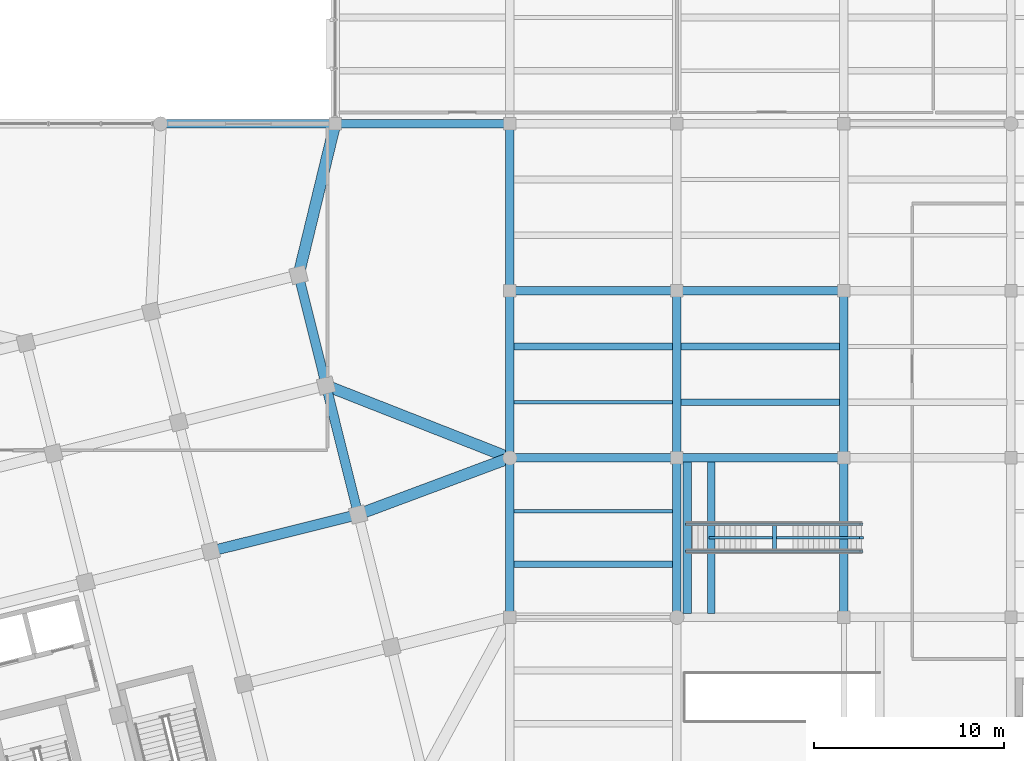
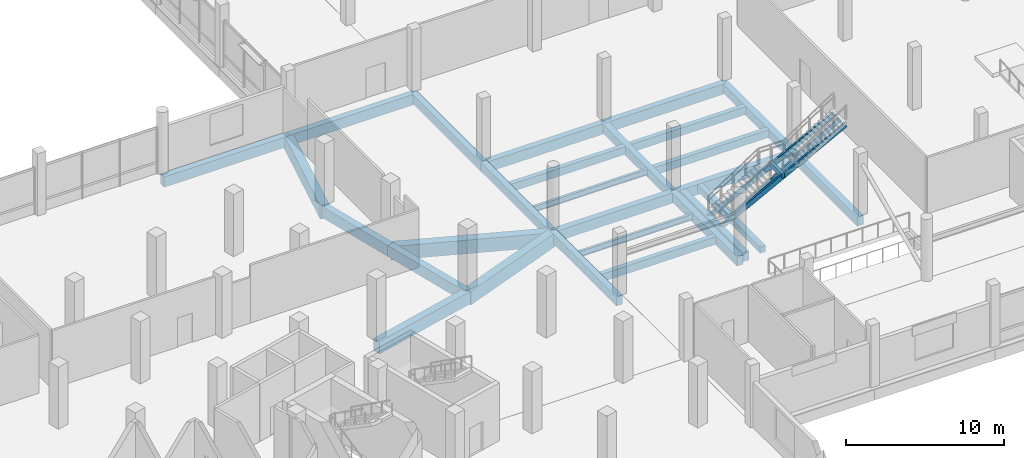
# One storey, part 35 of 71: 28 beams, 3 members.
"""IFC4 building model written with IfcOpenShell, lengths in metres."""

from ifc_helpers import new_model, si_unit, direction, frame, origin, origin_2d, place, context, subcontext, project, spatial, rectangle, i_section, extrude, material, material_profile, profile_set, type_object, element, save


model = new_model("IFC4")

# Units and contexts
model_context = context("Model", 3, precision=1e-05, world=origin(), true_north=direction((0.0, 1.0)))
body_context = subcontext(model_context, "Body", "Model", "MODEL_VIEW")
ifc_project = project(units=[si_unit("LENGTHUNIT", "METRE"), si_unit("AREAUNIT", "SQUARE_METRE"), si_unit("VOLUMEUNIT", "CUBIC_METRE"), si_unit("PLANEANGLEUNIT", "RADIAN"), si_unit("MASSUNIT", "GRAM", prefix="KILO")], contexts=[model_context])

# Site, building, storey
site_placement = place(None, origin())
site = spatial("IfcSite", under=ifc_project, at=site_placement, CompositionType="ELEMENT")
building_placement = place(site_placement, origin())
building = spatial("IfcBuilding", under=site, at=building_placement, Name="Meriwether Solvik Hall", CompositionType="ELEMENT")
storey_placement = place(building_placement, frame((0.0, 0.0, 5.10009765625)))
storey = spatial("IfcBuildingStorey", under=building, at=storey_placement, Name="L01", CompositionType="ELEMENT", Elevation=5.10009765625)

# Beams
ifc_material_1 = material(Name="Glulam Douglas-Fir 24F-V8 GL28h", Category="wood")
ifc_material_profile_1 = material_profile(ifc_material_1, rectangle(XDim=0.221923828125, YDim=0.340087890625, at=origin_2d()), Name="GLB-222X340")
ifc_profile_set_1 = profile_set([ifc_material_profile_1], Name="Glulam Douglas-Fir 24F-V8 GL28h")
beam_type_1 = type_object("IfcBeamType", Name="BM-LND-GL-222X340", PredefinedType="BEAM", material=ifc_profile_set_1)
beam_1_placement = place(storey_placement, frame((128.139892578125, 70.22509765625, 2.054931640625), z_axis=(0.0, 1.0, 0.0), x_axis=(-1.0, 0.0, 0.0)))
element("IfcBeam", 1, at=beam_1_placement, inside=storey, type_object=beam_type_1, Name="Stair ST-LB1 Landing Cross-Bearer", PredefinedType="BEAM", context=body_context, shape_type="SweptSolid", body=[
    extrude(rectangle(XDim=0.221923828125, YDim=0.340087890625, at=origin_2d()), origin(), (0.0, 0.0, 1.0), 1.5498046875),
])
ifc_material_2 = material(Name="Concrete C40/50", Category="concrete")
ifc_material_profile_2 = material_profile(ifc_material_2, rectangle(XDim=0.39990234375, YDim=0.47998046875, at=origin_2d()), Name="RCB-400X480")
ifc_profile_set_2 = profile_set([ifc_material_profile_2], Name="Concrete C40/50")
beam_type_2 = type_object("IfcBeamType", Name="BM-LND-RC-400X480", PredefinedType="BEAM", material=ifc_profile_set_2)
beam_2_placement = place(storey_placement, frame((124.800537109375, 67.014892578125, -0.5400390625), z_axis=(0.0, 1.0, 0.0), x_axis=(-1.0, 0.0, 0.0)))
element("IfcBeam", 2, at=beam_2_placement, inside=storey, type_object=beam_type_2, Name="Stair ST-LB1 Spine Trimmer Beam", PredefinedType="BEAM", context=body_context, shape_type="SweptSolid", body=[
    extrude(rectangle(XDim=0.39990234375, YDim=0.47998046875, at=origin_2d()), origin(), (0.0, 0.0, 1.0), 7.97021484375),
])
ifc_material_3 = material(Name="Concrete C40/50", Category="concrete")
ifc_material_profile_3 = material_profile(ifc_material_3, rectangle(XDim=0.35009765625, YDim=0.60009765625, at=origin_2d()), Name="RCB-350X600")
ifc_profile_set_3 = profile_set([ifc_material_profile_3], Name="Concrete C40/50")
beam_type_3 = type_object("IfcBeamType", Name="BM-RC-350X600", PredefinedType="JOIST", material=ifc_profile_set_3)
for number, where, z_axis, x_axis, name in (
    (3, (114.419921875, 69.60009765625, -0.60009765625), (1.0, 0.0, 0.0), (0.0, 1.0, 0.0), "Secondary Floor Joist 13/H_J1 (L01)"),
    (4, (114.419921875, 81.066650390625, -0.60009765625), (1.0, 0.0, 0.0), (0.0, 1.0, 0.0), "Secondary Floor Joist 13/I_J2 (L01)"),
    (5, (123.219970703125, 78.13330078125, -0.60009765625), (1.0, 0.0, 0.0), (0.0, 1.0, 0.0), "Secondary Floor Joist 14/I_J1 (L01)"),
    (6, (123.219970703125, 81.066650390625, -0.60009765625), (1.0, 0.0, 0.0), (0.0, 1.0, 0.0), "Secondary Floor Joist 14/I_J2 (L01)"),
):
    element("IfcBeam", number, at=place(storey_placement, frame(where, z_axis=z_axis, x_axis=x_axis)), inside=storey, type_object=beam_type_3, Name=name, PredefinedType="JOIST", context=body_context, shape_type="SweptSolid", body=[
        extrude(rectangle(XDim=0.35009765625, YDim=0.60009765625, at=origin_2d()), origin(), (0.0, 0.0, 1.0), 8.360107421875),
    ])
ifc_material_4 = material(Name="Concrete C40/50", Category="concrete")
ifc_material_profile_4 = material_profile(ifc_material_4, rectangle(XDim=0.449951171875, YDim=0.699951171875, at=origin_2d()), Name="RCB-450X700")
ifc_profile_set_4 = profile_set([ifc_material_profile_4], Name="Concrete C40/50")
beam_type_4 = type_object("IfcBeamType", Name="BM-RC-450X700", PredefinedType="BEAM", material=ifc_profile_set_4)
beam_3_placement = place(storey_placement, frame((114.199951171875, 66.800048828125, -0.650146484375), z_axis=(0.0, 1.0, 0.0), x_axis=(-1.0, 0.0, 0.0)))
element("IfcBeam", 7, at=beam_3_placement, inside=storey, type_object=beam_type_4, Name="Podium Girder 13:H-I (L01)", PredefinedType="BEAM", context=body_context, shape_type="SweptSolid", body=[
    extrude(rectangle(XDim=0.449951171875, YDim=0.699951171875, at=origin_2d()), origin(), (0.0, 0.0, 1.0), 8.39990234375),
])
for number, where, z_axis, x_axis, name in (
    (8, (114.199951171875, 75.199951171875, -0.650146484375), (0.0, 1.0, 0.0), (-1.0, 0.0, 0.0), "Podium Girder 13:I-J (L01)"),
    (9, (114.199951171875, 84.0, -0.650146484375), (0.0, 1.0, 0.0), (-1.0, 0.0, 0.0), "Podium Girder 13:J-K (L01)"),
):
    element("IfcBeam", number, at=place(storey_placement, frame(where, z_axis=z_axis, x_axis=x_axis)), inside=storey, type_object=beam_type_4, Name=name, PredefinedType="BEAM", context=body_context, shape_type="SweptSolid", body=[
        extrude(rectangle(XDim=0.449951171875, YDim=0.699951171875, at=origin_2d()), origin(), (0.0, 0.0, 1.0), 8.800048828125),
    ])
beam_4_placement = place(storey_placement, frame((123.0, 66.800048828125, -0.650146484375), z_axis=(0.0, 1.0, 0.0), x_axis=(-1.0, 0.0, 0.0)))
element("IfcBeam", 10, at=beam_4_placement, inside=storey, type_object=beam_type_4, Name="Podium Girder 14:H-I (L01)", PredefinedType="BEAM", context=body_context, shape_type="SweptSolid", body=[
    extrude(rectangle(XDim=0.449951171875, YDim=0.699951171875, at=origin_2d()), origin(), (0.0, 0.0, 1.0), 8.39990234375),
])
beam_5_placement = place(storey_placement, frame((123.0, 75.199951171875, -0.650146484375), z_axis=(0.0, 1.0, 0.0), x_axis=(-1.0, 0.0, 0.0)))
element("IfcBeam", 11, at=beam_5_placement, inside=storey, type_object=beam_type_4, Name="Podium Girder 14:I-J (L01)", PredefinedType="BEAM", context=body_context, shape_type="SweptSolid", body=[
    extrude(rectangle(XDim=0.449951171875, YDim=0.699951171875, at=origin_2d()), origin(), (0.0, 0.0, 1.0), 8.800048828125),
])
beam_6_placement = place(storey_placement, frame((131.800048828125, 66.800048828125, -0.650146484375), z_axis=(0.0, 1.0, 0.0), x_axis=(-1.0, 0.0, 0.0)))
element("IfcBeam", 12, at=beam_6_placement, inside=storey, type_object=beam_type_4, Name="Podium Girder 15:H-I (L01)", PredefinedType="BEAM", context=body_context, shape_type="SweptSolid", body=[
    extrude(rectangle(XDim=0.449951171875, YDim=0.699951171875, at=origin_2d()), origin(), (0.0, 0.0, 1.0), 8.39990234375),
])
beam_7_placement = place(storey_placement, frame((131.800048828125, 75.199951171875, -0.650146484375), z_axis=(0.0, 1.0, 0.0), x_axis=(-1.0, 0.0, 0.0)))
element("IfcBeam", 13, at=beam_7_placement, inside=storey, type_object=beam_type_4, Name="Podium Girder 15:I-J (L01)", PredefinedType="BEAM", context=body_context, shape_type="SweptSolid", body=[
    extrude(rectangle(XDim=0.449951171875, YDim=0.699951171875, at=origin_2d()), origin(), (0.0, 0.0, 1.0), 8.800048828125),
])
beam_8_placement = place(storey_placement, frame((123.550048828125, 67.014892578125, -0.650146484375), z_axis=(0.0, 1.0, 0.0), x_axis=(-1.0, 0.0, 0.0)))
element("IfcBeam", 14, at=beam_8_placement, inside=storey, type_object=beam_type_4, Name="Stair ST-LB1 Bottom Trimmer Beam", PredefinedType="BEAM", context=body_context, shape_type="SweptSolid", body=[
    extrude(rectangle(XDim=0.449951171875, YDim=0.699951171875, at=origin_2d()), origin(), (0.0, 0.0, 1.0), 7.97021484375),
])
ifc_material_5 = material(Name="Concrete C40/50", Category="concrete")
ifc_material_profile_5 = material_profile(ifc_material_5, rectangle(XDim=0.449951171875, YDim=0.800048828125, at=origin_2d()), Name="RCB-450X800")
ifc_profile_set_5 = profile_set([ifc_material_profile_5], Name="Concrete C40/50")
beam_type_5 = type_object("IfcBeamType", Name="BM-RC-450X800", PredefinedType="BEAM", material=ifc_profile_set_5)
for number, where, z_axis, x_axis, name in (
    (15, (114.199951171875, 75.199951171875, -0.7001953125), (1.0, 0.0, 0.0), (0.0, 1.0, 0.0), "Podium Girder I:13-14 (L01)"),
    (16, (123.0, 75.199951171875, -0.7001953125), (1.0, 0.0, 0.0), (0.0, 1.0, 0.0), "Podium Girder I:14-15 (L01)"),
    (17, (114.199951171875, 84.0, -0.7001953125), (1.0, 0.0, 0.0), (0.0, 1.0, 0.0), "Podium Girder J:13-14 (L01)"),
    (18, (123.0, 84.0, -0.7001953125), (1.0, 0.0, 0.0), (0.0, 1.0, 0.0), "Podium Girder J:14-15 (L01)"),
):
    element("IfcBeam", number, at=place(storey_placement, frame(where, z_axis=z_axis, x_axis=x_axis)), inside=storey, type_object=beam_type_5, Name=name, PredefinedType="BEAM", context=body_context, shape_type="SweptSolid", body=[
        extrude(rectangle(XDim=0.449951171875, YDim=0.800048828125, at=origin_2d()), origin(), (0.0, 0.0, 1.0), 8.800048828125),
    ])
for number, where, z_axis, x_axis, name in (
    (19, (95.800048828125, 92.800048828125, -0.7001953125), (1.0, 0.0, 0.0), (0.0, 1.0, 0.0), "Podium Girder K:11-12 (L01)"),
    (20, (105.0, 92.800048828125, -0.7001953125), (1.0, 0.0, 0.0), (0.0, 1.0, 0.0), "Podium Girder K:12-13 (L01)"),
):
    element("IfcBeam", number, at=place(storey_placement, frame(where, z_axis=z_axis, x_axis=x_axis)), inside=storey, type_object=beam_type_5, Name=name, PredefinedType="BEAM", context=body_context, shape_type="SweptSolid", body=[
        extrude(rectangle(XDim=0.449951171875, YDim=0.800048828125, at=origin_2d()), origin(), (0.0, 0.0, 1.0), 9.199951171875),
    ])
ifc_material_6 = material(Name="Concrete C40/50", Category="concrete")
ifc_material_profile_6 = material_profile(ifc_material_6, rectangle(XDim=0.5, YDim=0.85009765625, at=origin_2d()), Name="RCB-500X850")
ifc_profile_set_6 = profile_set([ifc_material_profile_6], Name="Concrete C40/50")
beam_type_6 = type_object("IfcBeamType", Name="BM-RC-500X850", PredefinedType="BEAM", material=ifc_profile_set_6)
beam_9_placement = place(storey_placement, frame((106.212646484375, 72.220703125, -0.72509765625), z_axis=(-0.241903692719, 0.970300264582, 0.0), x_axis=(-0.970300264582, -0.241903692719, 0.0)))
element("IfcBeam", 21, at=beam_9_placement, inside=storey, type_object=beam_type_6, Name="Tower Girder T7:TD-TE (L01)", PredefinedType="BEAM", context=body_context, shape_type="SweptSolid", body=[
    extrude(rectangle(XDim=0.5, YDim=0.85009765625, at=origin_2d()), origin(), (0.0, 0.0, 1.0), 7.000244140625),
])
beam_10_placement = place(storey_placement, frame((104.519287109375, 79.012939453125, -0.72509765625), z_axis=(-0.241941986192, 0.970290716908, 0.0), x_axis=(-0.970290716908, -0.241941986192, 0.0)))
element("IfcBeam", 22, at=beam_10_placement, inside=storey, type_object=beam_type_6, Name="Tower Girder T7:TE-TF (L01)", PredefinedType="BEAM", context=body_context, shape_type="SweptSolid", body=[
    extrude(rectangle(XDim=0.5, YDim=0.85009765625, at=origin_2d()), origin(), (0.0, 0.0, 1.0), 6.0),
])
ifc_material_7 = material(Name="Concrete C40/50", Category="concrete")
ifc_material_profile_7 = material_profile(ifc_material_7, rectangle(XDim=0.550048828125, YDim=0.949951171875, at=origin_2d()), Name="RCB-550X950")
ifc_profile_set_7 = profile_set([ifc_material_profile_7], Name="Concrete C40/50")
beam_type_7 = type_object("IfcBeamType", Name="BM-RC-550X950", PredefinedType="BEAM", material=ifc_profile_set_7)
beam_11_placement = place(storey_placement, frame((98.4501953125, 70.285400390625, -0.775146484375), z_axis=(0.970298475929, 0.241910867076, 0.0), x_axis=(-0.241910867076, 0.970298475929, 0.0)))
element("IfcBeam", 23, at=beam_11_placement, inside=storey, type_object=beam_type_7, Name="Tower Girder TD:T6-T7 (L01)", PredefinedType="BEAM", context=body_context, shape_type="SweptSolid", body=[
    extrude(rectangle(XDim=0.550048828125, YDim=0.949951171875, at=origin_2d()), origin(), (0.0, 0.0, 1.0), 8.0),
])
ifc_material_8 = material(Name="Concrete C40/50", Category="concrete")
ifc_material_profile_8 = material_profile(ifc_material_8, rectangle(XDim=0.60009765625, YDim=1.050048828125, at=origin_2d()), Name="RCB-600X1050")
ifc_profile_set_8 = profile_set([ifc_material_profile_8], Name="Concrete C40/50")
beam_type_8 = type_object("IfcBeamType", Name="BM-RC-600X1050", PredefinedType="BEAM", material=ifc_profile_set_8)
beam_12_placement = place(storey_placement, frame((106.212646484375, 72.220703125, -0.8251953125), z_axis=(0.93694444662, 0.349478331156, 0.0), x_axis=(-0.349478331156, 0.93694444662, 0.0)))
element("IfcBeam", 24, at=beam_12_placement, inside=storey, type_object=beam_type_8, Name="Diaphragm Collector Girder T7/TD-13/I (L01)", PredefinedType="BEAM", context=body_context, shape_type="SweptSolid", body=[
    extrude(rectangle(XDim=0.60009765625, YDim=1.050048828125, at=origin_2d()), origin(), (0.0, 0.0, 1.0), 8.52490234375),
])
beam_13_placement = place(storey_placement, frame((104.519287109375, 79.012939453125, -0.8251953125), z_axis=(0.930428275018, -0.366474044165, 0.0), x_axis=(0.366474044165, 0.930428275018, 0.0)))
element("IfcBeam", 25, at=beam_13_placement, inside=storey, type_object=beam_type_8, Name="Diaphragm Collector Girder T7/TE-13/I (L01)", PredefinedType="BEAM", context=body_context, shape_type="SweptSolid", body=[
    extrude(rectangle(XDim=0.60009765625, YDim=1.050048828125, at=origin_2d()), origin(), (0.0, 0.0, 1.0), 10.404541015625),
])
beam_14_placement = place(storey_placement, frame((103.067626953125, 84.834716796875, -0.8251953125), z_axis=(0.235759443043, 0.971811445197, 0.0), x_axis=(-0.971811445197, 0.235759443043, 0.0)))
element("IfcBeam", 26, at=beam_14_placement, inside=storey, type_object=beam_type_8, Name="Diaphragm Collector Girder T7/TF-12/K (L01)", PredefinedType="BEAM", context=body_context, shape_type="SweptSolid", body=[
    extrude(rectangle(XDim=0.60009765625, YDim=1.050048828125, at=origin_2d()), origin(), (0.0, 0.0, 1.0), 8.1962890625),
])
ifc_material_9 = material(Name="Steel A992 Grade 50", Category="steel")
ifc_material_profile_9 = material_profile(ifc_material_9, i_section(OverallWidth=0.19091796875, OverallDepth=0.45703125, WebThickness=0.009033203125, FlangeThickness=0.014404296875, at=origin_2d()), Name="W18X50")
ifc_profile_set_9 = profile_set([ifc_material_profile_9], Name="Steel A992 Grade 50")
beam_type_9 = type_object("IfcBeamType", Name="BM-STL-W18X50", PredefinedType="JOIST", material=ifc_profile_set_9)
for number, where, z_axis, x_axis, name in (
    (27, (114.419921875, 72.39990234375, -0.528564453125), (1.0, 0.0, 0.0), (0.0, 1.0, 0.0), "Secondary Floor Joist 13/H_J2 (L01)"),
    (28, (114.419921875, 78.13330078125, -0.528564453125), (1.0, 0.0, 0.0), (0.0, 1.0, 0.0), "Secondary Floor Joist 13/I_J1 (L01)"),
):
    element("IfcBeam", number, at=place(storey_placement, frame(where, z_axis=z_axis, x_axis=x_axis)), inside=storey, type_object=beam_type_9, Name=name, PredefinedType="JOIST", context=body_context, shape_type="SweptSolid", body=[
        extrude(i_section(OverallWidth=0.19091796875, OverallDepth=0.45703125, WebThickness=0.009033203125, FlangeThickness=0.014404296875, at=origin_2d()), origin(), (0.0, 0.0, 1.0), 8.360107421875),
    ])

# Members
ifc_material_10 = material(Name="Glulam Douglas-Fir 24F-V8 GL28h", Category="wood")
ifc_material_profile_10 = material_profile(ifc_material_10, rectangle(XDim=0.1298828125, YDim=0.3798828125, at=origin_2d()), Name="GLM-130X380")
ifc_profile_set_10 = profile_set([ifc_material_profile_10], Name="Glulam Douglas-Fir 24F-V8 GL28h")
member_type = type_object("IfcMemberType", Name="MEM-STR-GL130", PredefinedType="STRINGER", material=ifc_profile_set_10)
for number, where, z_axis, x_axis, name in (
    (29, (123.550048828125, 70.294921875, -0.420166015625), (0.887357018501, 0.0, 0.461082987885), (0.0, 1.0, 0.0), "Stair ST-LB1 Glulam Stringer L"),
    (30, (123.550048828125, 71.705078125, -0.420166015625), (0.887357018501, 0.0, 0.461082987885), (0.0, 1.0, 0.0), "Stair ST-LB1 Glulam Stringer R"),
):
    element("IfcMember", number, at=place(storey_placement, frame(where, z_axis=z_axis, x_axis=x_axis)), inside=storey, type_object=member_type, Name=name, PredefinedType="STRINGER", context=body_context, shape_type="SweptSolid", body=[
        extrude(rectangle(XDim=0.1298828125, YDim=0.3798828125, at=origin_2d()), origin(), (0.0, 0.0, 1.0), 10.34521484375),
    ])
member_placement = place(storey_placement, frame((124.800537109375, 71.0, -0.420166015625), z_axis=(0.856903395354, 0.0, 0.515477032496), x_axis=(0.0, 1.0, 0.0)))
element("IfcMember", 31, at=member_placement, inside=storey, type_object=member_type, Name="Stair ST-LB1 Glulam Stringer C", PredefinedType="STRINGER", context=body_context, shape_type="SweptSolid", body=[
    extrude(rectangle(XDim=0.1298828125, YDim=0.3798828125, at=origin_2d()), origin(), (0.0, 0.0, 1.0), 9.253662109375),
])

save(model, "model.ifc")
